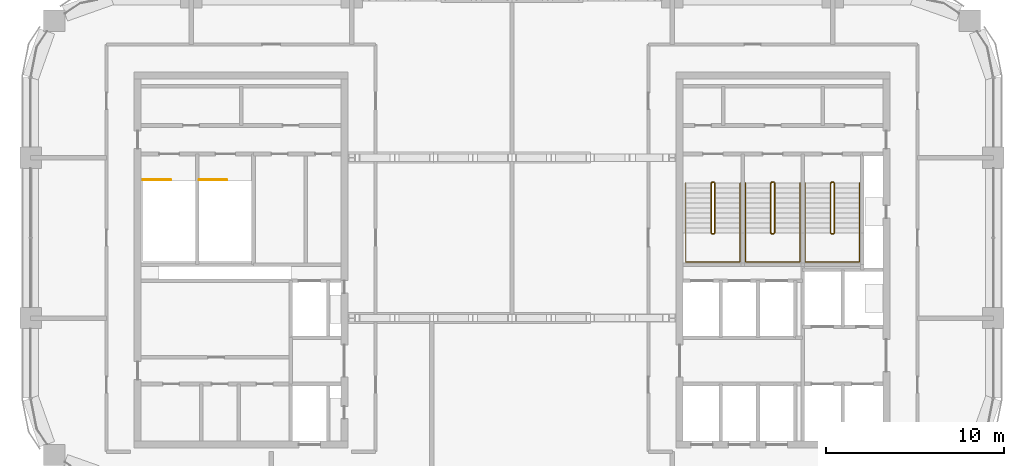
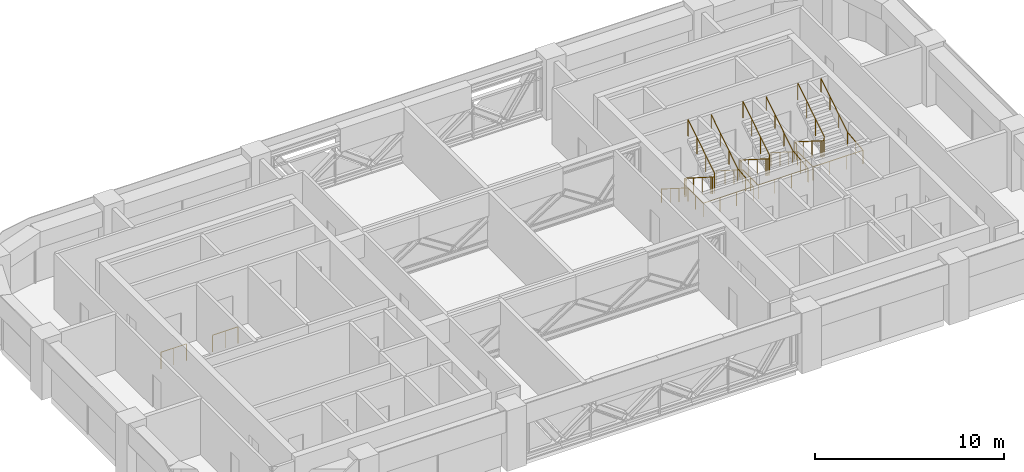
# One storey, part 12 of 12: 8 railings.
"""IFC4 building model written with IfcOpenShell, lengths in metres."""

import ifcopenshell
import ifcopenshell.guid

model = None  # the IFC model being written
_history = None  # IfcOwnerHistory: only IFC2X3 demands one
_inside = {}  # id of a spatial element -> (the spatial element, [elements in it])
_under = {}  # id of a project, library or spatial element -> (it, [spatial elements below it])
_declared = {}  # id of a project -> (the project, [libraries it declares])
_typed = {}  # id of a type object -> (the type object, [elements of that type])
_made_of = {}  # id of a material, layer set ... -> (it, [elements and type objects made of it])


def new_model(schema):
    """Start an empty IFC model of exactly this schema.

    Asked for "IFC4X3", IfcOpenShell would pick the latest addendum, in which some entities
    have other attributes; the version numbers below select the first issue.
    IFC2X3 requires an IfcOwnerHistory on every rooted entity: one is made here for all.
    """
    global model, _history
    if schema == "IFC4X3":
        model = ifcopenshell.file(schema_version=(4, 3, 0, 0))
    else:
        model = ifcopenshell.file(schema=schema)
    _inside.clear()
    _under.clear()
    _declared.clear()
    _typed.clear()
    _made_of.clear()
    _history = None
    if model.schema == "IFC2X3":
        org = make("IfcOrganization", Name="unknown")
        user = make(
            "IfcPersonAndOrganization",
            ThePerson=make("IfcPerson", FamilyName="unknown"),
            TheOrganization=org,
        )
        app = make(
            "IfcApplication",
            ApplicationDeveloper=org,
            Version="unknown",
            ApplicationFullName="unknown",
            ApplicationIdentifier="unknown",
        )
        _history = make(
            "IfcOwnerHistory",
            OwningUser=user,
            OwningApplication=app,
            ChangeAction="ADDED",
            CreationDate=0,
        )
    return model


def make(cls, **values):
    """One entity of the class cls with the attributes given. An attribute that is None is left unset."""
    return model.create_entity(
        cls, **{name: value for name, value in values.items() if value is not None}
    )


def rooted(cls, **values):
    """An entity with a GlobalId (a new one), such as an element, a storey or a relation."""
    return make(cls, GlobalId=ifcopenshell.guid.new(), OwnerHistory=_history, **values)


def si_unit(unit_type, name, prefix=None):
    """IfcSIUnit, for example si_unit("LENGTHUNIT", "METRE", prefix="MILLI")."""
    return make("IfcSIUnit", UnitType=unit_type, Prefix=prefix, Name=name)


def assignment(units):
    """IfcUnitAssignment: the units of a project."""
    return None if units is None else make("IfcUnitAssignment", Units=units)


def point(xyz):
    """IfcCartesianPoint."""
    return None if xyz is None else make("IfcCartesianPoint", Coordinates=xyz)


def direction(xyz):
    """IfcDirection."""
    return None if xyz is None else make("IfcDirection", DirectionRatios=xyz)


def frame(location, z_axis=None, x_axis=None):
    """IfcAxis2Placement3D, a coordinate frame: its origin and axes. An axis left out is left unset."""
    return make(
        "IfcAxis2Placement3D",
        Location=point(location),
        Axis=direction(z_axis),
        RefDirection=direction(x_axis),
    )


def frame_2d(location, x_axis=None):
    """IfcAxis2Placement2D, a coordinate frame in the plane: its origin and x axis."""
    return make(
        "IfcAxis2Placement2D", Location=point(location), RefDirection=direction(x_axis)
    )


def origin():
    """The frame at (0, 0, 0) with its axes left unset."""
    return frame((0.0, 0.0, 0.0))


def origin_2d():
    """The frame at (0, 0) in the plane with its x axis left unset."""
    return frame_2d((0.0, 0.0))


def place(relative_to, where):
    """IfcLocalPlacement: puts the frame where relative to a parent placement (None: the world)."""
    return make(
        "IfcLocalPlacement", PlacementRelTo=relative_to, RelativePlacement=where
    )


def context(
    kind, dimensions, precision=None, world=None, true_north=None, identifier=None
):
    """IfcGeometricRepresentationContext, for example the 3D "Model" context."""
    return make(
        "IfcGeometricRepresentationContext",
        ContextIdentifier=identifier,
        ContextType=kind,
        CoordinateSpaceDimension=dimensions,
        Precision=precision,
        WorldCoordinateSystem=world,
        TrueNorth=true_north,
    )


def subcontext(parent, identifier, kind, view, scale=None):
    """IfcGeometricRepresentationSubContext, for example "Body" below "Model"."""
    return make(
        "IfcGeometricRepresentationSubContext",
        ContextIdentifier=identifier,
        ContextType=kind,
        ParentContext=parent,
        TargetScale=scale,
        TargetView=view,
    )


def project(units=None, contexts=None):
    """IfcProject with its units and contexts."""
    return rooted(
        "IfcProject",
        Name="project",
        RepresentationContexts=contexts,
        UnitsInContext=assignment(units),
    )


def spatial(cls, under=None, at=None, **own):
    """A site, building, storey or space (cls), placed at a placement, below another one or the project."""
    s = rooted(cls, ObjectPlacement=at, **own)
    if under is not None:
        _under.setdefault(under.id(), (under, []))[1].append(s)
    return s


def profile(cls, at=None, kind="AREA", **sizes):
    """A parametric profile (cls). Its sizes go by their IFC names, for example OverallWidth=200.0."""
    return make(cls, ProfileType=kind, Position=at, **sizes)


def circle(**sizes):
    """IfcCircleProfileDef."""
    return profile("IfcCircleProfileDef", **sizes)


def extrude(swept, where, along, depth):
    """IfcExtrudedAreaSolid: the profile swept, set in the frame where, extruded along a direction by depth."""
    return make(
        "IfcExtrudedAreaSolid",
        SweptArea=swept,
        Position=where,
        ExtrudedDirection=direction(along),
        Depth=depth,
    )


def shape(context_of_items, identifier, shape_type, items):
    """IfcShapeRepresentation: the items that make up one representation, for example the "Body"."""
    return make(
        "IfcShapeRepresentation",
        ContextOfItems=context_of_items,
        RepresentationIdentifier=identifier,
        RepresentationType=shape_type,
        Items=items,
    )


def material(Name=None, Category=None):
    """IfcMaterial."""
    return make("IfcMaterial", Name=Name, Category=Category)


def made_of(thing, what):
    """Note that an element or type object is made of a material, layer set ...; save() writes the relation."""
    if what is not None:
        _made_of.setdefault(what.id(), (what, []))[1].append(thing)
    return thing


def type_object(cls, material=None, **own):
    """A type object (cls), such as IfcWallType, which elements share."""
    return made_of(rooted(cls, **own), material)


def element(
    cls,
    number,
    at=None,
    inside=None,
    cuts=None,
    type_object=None,
    material=None,
    context=None,
    identifier="Body",
    shape_type=None,
    held_by="IfcProductDefinitionShape",
    body=None,
    shapes=None,
    **own,
):
    """One element of the class cls, such as IfcWall. Its Tag is "e" and its number.

    at: its placement. inside: the storey or other place that contains it. cuts: it is an
    opening in that element (IfcRelVoidsElement). A single representation is given by context,
    identifier, shape_type and body (its items); several are given by shapes. held_by: the class
    of the entity that holds the representations. save() writes the other relations.
    """
    e = rooted(cls, Tag="e%d" % number, ObjectPlacement=at, **own)
    if body is not None:
        shapes = [shape(context, identifier, shape_type, body)]
    if shapes is not None:
        e.Representation = make(held_by, Representations=shapes)
    if inside is not None:
        _inside.setdefault(inside.id(), (inside, []))[1].append(e)
    if cuts is not None:
        rooted(
            "IfcRelVoidsElement", RelatingBuildingElement=cuts, RelatedOpeningElement=e
        )
    if type_object is not None:
        _typed.setdefault(type_object.id(), (type_object, []))[1].append(e)
    return made_of(e, material)


def aggregate(whole, parts):
    """IfcRelAggregates: a whole, such as a stair, and the parts it consists of."""
    return rooted("IfcRelAggregates", RelatingObject=whole, RelatedObjects=parts)


def save(model, path):
    """Write the relations noted so far, then the file.

    IfcRelAggregates (storeys below a building ...), IfcRelContainedInSpatialStructure (elements
    in a storey), IfcRelDefinesByType, IfcRelAssociatesMaterial and IfcRelDeclares: one each for
    every whole, place, type object, material and project.
    """
    for whole, parts in _under.values():
        aggregate(whole, parts)
    for where, things in _inside.values():
        rooted(
            "IfcRelContainedInSpatialStructure",
            RelatedElements=things,
            RelatingStructure=where,
        )
    for kind, things in _typed.values():
        rooted("IfcRelDefinesByType", RelatedObjects=things, RelatingType=kind)
    for what, things in _made_of.values():
        rooted("IfcRelAssociatesMaterial", RelatedObjects=things, RelatingMaterial=what)
    for by, libraries in _declared.values():
        rooted("IfcRelDeclares", RelatingContext=by, RelatedDefinitions=libraries)
    model.write(path)


model = new_model("IFC4")

# Units and contexts
model_context = context("Model", 3, precision=1e-05, world=origin(), true_north=direction((0.0, 1.0)))
body_context = subcontext(model_context, "Body", "Model", "MODEL_VIEW")
ifc_project = project(units=[si_unit("LENGTHUNIT", "METRE"), si_unit("AREAUNIT", "SQUARE_METRE"), si_unit("VOLUMEUNIT", "CUBIC_METRE"), si_unit("PLANEANGLEUNIT", "RADIAN"), si_unit("MASSUNIT", "GRAM", prefix="KILO")], contexts=[model_context])

# Site, building, storey
site_placement = place(None, origin())
site = spatial("IfcSite", under=ifc_project, at=site_placement, CompositionType="ELEMENT")
building_placement = place(site_placement, origin())
building = spatial("IfcBuilding", under=site, at=building_placement, Name="Tessera Arch", CompositionType="ELEMENT")
storey_placement = place(building_placement, frame((0.0, 0.0, 230.60009765625)))
storey = spatial("IfcBuildingStorey", under=building, at=storey_placement, Name="L55", CompositionType="ELEMENT", Elevation=230.60009765625)

# Railings
ifc_material_1 = material(Name="Painted steel balustrade", Category="steel")
railing_type_1 = type_object("IfcRailingType", Name="Stair guard 1100", PredefinedType="GUARDRAIL", material=ifc_material_1)
railing_1_placement = place(storey_placement, frame((38.219970703125, 43.6298828125, 0.0)))
element("IfcRailing", 1, at=railing_1_placement, inside=storey, type_object=railing_type_1, Name="L55 S1a stair guard 1", PredefinedType="GUARDRAIL", context=body_context, shape_type="SweptSolid", body=[
    extrude(circle(Radius=0.02392578125, at=origin_2d()), frame((-0.00390625, 0.0, 1.076171875), z_axis=(1.0, 0.0, 0.0), x_axis=(0.0, 1.0, 0.0)), (0.0, 0.0, 1.0), 0.1181640625),
    extrude(circle(Radius=0.02392578125, at=origin_2d()), frame((0.11279296875, 0.000732421875, 1.0732421875), z_axis=(-0.656319048605, -0.204099216335, 0.726353093426), x_axis=(0.296948579431, -0.954893471113, 0.0)), (0.0, 0.0, 1.0), 0.251953125),
    extrude(circle(Radius=0.02392578125, at=origin_2d()), frame((-0.050048828125, -0.04638671875, 1.251220703125), z_axis=(0.0, -0.844908973607, 0.534910110503), x_axis=(1.0, 0.0, 0.0)), (0.0, 0.0, 1.0), 3.322021484375),
    extrude(circle(Radius=0.02392578125, at=origin_2d()), frame((-0.052978515625, -2.846923828125, 3.02587890625), z_axis=(0.707106781187, -0.707106781187, 0.0), x_axis=(0.707106781187, 0.707106781187, 0.0)), (0.0, 0.0, 1.0), 0.078857421875),
    extrude(circle(Radius=0.02392578125, at=origin_2d()), frame((-0.00390625, -2.89990234375, 3.02587890625), z_axis=(1.0, 0.0, 0.0), x_axis=(0.0, 1.0, 0.0)), (0.0, 0.0, 1.0), 0.1181640625),
    extrude(circle(Radius=0.02392578125, at=origin_2d()), frame((0.109130859375, -2.90087890625, 3.022216796875), z_axis=(0.261041864531, 0.262321481514, 0.929001929653), x_axis=(-0.708833529934, 0.705375805398, 0.0)), (0.0, 0.0, 1.0), 0.19873046875),
    extrude(circle(Radius=0.02392578125, at=origin_2d()), frame((0.159912109375, -2.853271484375, 3.201171875), z_axis=(0.0, 0.844908973607, 0.534910110503), x_axis=(-1.0, 0.0, 0.0)), (0.0, 0.0, 1.0), 3.322021484375),
    extrude(circle(Radius=0.02099609375, at=origin_2d()), origin(), (0.0, 0.0, 1.0), 1.06396484375),
    extrude(circle(Radius=0.02099609375, at=origin_2d()), frame((0.110107421875, 0.0, 0.0)), (0.0, 0.0, 1.0), 1.06396484375),
    extrude(circle(Radius=0.02099609375, at=origin_2d()), frame((-0.050048828125, -0.0498046875, 0.17724609375)), (0.0, 0.0, 1.0), 1.06396484375),
    extrude(circle(Radius=0.02099609375, at=origin_2d()), frame((-0.050048828125, -0.983154296875, 0.76806640625)), (0.0, 0.0, 1.0), 1.06396484375),
    extrude(circle(Radius=0.02099609375, at=origin_2d()), frame((-0.050048828125, -1.91650390625, 1.359130859375)), (0.0, 0.0, 1.0), 1.06396484375),
    extrude(circle(Radius=0.02099609375, at=origin_2d()), frame((-0.050048828125, -2.849853515625, 1.949951171875)), (0.0, 0.0, 1.0), 1.06396484375),
    extrude(circle(Radius=0.02099609375, at=origin_2d()), frame((0.0, -2.89990234375, 1.949951171875)), (0.0, 0.0, 1.0), 1.06396484375),
    extrude(circle(Radius=0.02099609375, at=origin_2d()), frame((0.110107421875, -2.89990234375, 1.949951171875)), (0.0, 0.0, 1.0), 1.06396484375),
    extrude(circle(Radius=0.02099609375, at=origin_2d()), frame((0.159912109375, -2.849853515625, 2.127197265625)), (0.0, 0.0, 1.0), 1.06396484375),
    extrude(circle(Radius=0.02099609375, at=origin_2d()), frame((0.159912109375, -1.91650390625, 2.718017578125)), (0.0, 0.0, 1.0), 1.06396484375),
    extrude(circle(Radius=0.02099609375, at=origin_2d()), frame((0.159912109375, -0.983154296875, 3.30908203125)), (0.0, 0.0, 1.0), 1.06396484375),
    extrude(circle(Radius=0.02099609375, at=origin_2d()), frame((0.159912109375, -0.0498046875, 3.89990234375)), (0.0, 0.0, 1.0), 1.06396484375),
])
railing_2_placement = place(storey_placement, frame((41.570068359375, 43.6298828125, 0.0)))
element("IfcRailing", 2, at=railing_2_placement, inside=storey, type_object=railing_type_1, Name="L55 S1b stair guard 1", PredefinedType="GUARDRAIL", context=body_context, shape_type="SweptSolid", body=[
    extrude(circle(Radius=0.02392578125, at=origin_2d()), frame((-0.00390625, 0.0, 1.076171875), z_axis=(1.0, 0.0, 0.0), x_axis=(0.0, 1.0, 0.0)), (0.0, 0.0, 1.0), 0.117919921875),
    extrude(circle(Radius=0.02392578125, at=origin_2d()), frame((0.112548828125, 0.000732421875, 1.0732421875), z_axis=(-0.65574896516, -0.204233265485, 0.726830150696), x_axis=(0.297361876254, -0.954764847777, 0.0)), (0.0, 0.0, 1.0), 0.251953125),
    extrude(circle(Radius=0.02392578125, at=origin_2d()), frame((-0.050048828125, -0.04638671875, 1.251220703125), z_axis=(0.0, -0.844908973607, 0.534910110503), x_axis=(1.0, 0.0, 0.0)), (0.0, 0.0, 1.0), 3.322021484375),
    extrude(circle(Radius=0.02392578125, at=origin_2d()), frame((-0.052978515625, -2.846923828125, 3.02587890625), z_axis=(0.707106781187, -0.707106781187, 0.0), x_axis=(0.707106781187, 0.707106781187, 0.0)), (0.0, 0.0, 1.0), 0.078857421875),
    extrude(circle(Radius=0.02392578125, at=origin_2d()), frame((-0.00390625, -2.89990234375, 3.02587890625), z_axis=(1.0, 0.0, 0.0), x_axis=(0.0, 1.0, 0.0)), (0.0, 0.0, 1.0), 0.117919921875),
    extrude(circle(Radius=0.02392578125, at=origin_2d()), frame((0.10888671875, -2.90087890625, 3.022216796875), z_axis=(0.262233686654, 0.262233686654, 0.928691007369), x_axis=(-0.707106781187, 0.707106781187, 0.0)), (0.0, 0.0, 1.0), 0.198974609375),
    extrude(circle(Radius=0.02392578125, at=origin_2d()), frame((0.159912109375, -2.853271484375, 3.201171875), z_axis=(0.0, 0.844908973607, 0.534910110503), x_axis=(-1.0, 0.0, 0.0)), (0.0, 0.0, 1.0), 3.322021484375),
    extrude(circle(Radius=0.02099609375, at=origin_2d()), origin(), (0.0, 0.0, 1.0), 1.06396484375),
    extrude(circle(Radius=0.02099609375, at=origin_2d()), frame((0.10986328125, 0.0, 0.0)), (0.0, 0.0, 1.0), 1.06396484375),
    extrude(circle(Radius=0.02099609375, at=origin_2d()), frame((-0.050048828125, -0.0498046875, 0.17724609375)), (0.0, 0.0, 1.0), 1.06396484375),
    extrude(circle(Radius=0.02099609375, at=origin_2d()), frame((-0.050048828125, -0.983154296875, 0.76806640625)), (0.0, 0.0, 1.0), 1.06396484375),
    extrude(circle(Radius=0.02099609375, at=origin_2d()), frame((-0.050048828125, -1.91650390625, 1.359130859375)), (0.0, 0.0, 1.0), 1.06396484375),
    extrude(circle(Radius=0.02099609375, at=origin_2d()), frame((-0.050048828125, -2.849853515625, 1.949951171875)), (0.0, 0.0, 1.0), 1.06396484375),
    extrude(circle(Radius=0.02099609375, at=origin_2d()), frame((0.0, -2.89990234375, 1.949951171875)), (0.0, 0.0, 1.0), 1.06396484375),
    extrude(circle(Radius=0.02099609375, at=origin_2d()), frame((0.10986328125, -2.89990234375, 1.949951171875)), (0.0, 0.0, 1.0), 1.06396484375),
    extrude(circle(Radius=0.02099609375, at=origin_2d()), frame((0.159912109375, -2.849853515625, 2.127197265625)), (0.0, 0.0, 1.0), 1.06396484375),
    extrude(circle(Radius=0.02099609375, at=origin_2d()), frame((0.159912109375, -1.91650390625, 2.718017578125)), (0.0, 0.0, 1.0), 1.06396484375),
    extrude(circle(Radius=0.02099609375, at=origin_2d()), frame((0.159912109375, -0.983154296875, 3.30908203125)), (0.0, 0.0, 1.0), 1.06396484375),
    extrude(circle(Radius=0.02099609375, at=origin_2d()), frame((0.159912109375, -0.0498046875, 3.89990234375)), (0.0, 0.0, 1.0), 1.06396484375),
])
railing_3_placement = place(storey_placement, frame((44.919921875, 43.6298828125, 0.0)))
element("IfcRailing", 3, at=railing_3_placement, inside=storey, type_object=railing_type_1, Name="L55 S1c stair guard 1", PredefinedType="GUARDRAIL", context=body_context, shape_type="SweptSolid", body=[
    extrude(circle(Radius=0.02392578125, at=origin_2d()), frame((-0.00390625, 0.0, 1.076171875), z_axis=(1.0, 0.0, 0.0), x_axis=(0.0, 1.0, 0.0)), (0.0, 0.0, 1.0), 0.1181640625),
    extrude(circle(Radius=0.02392578125, at=origin_2d()), frame((0.11279296875, 0.000732421875, 1.0732421875), z_axis=(-0.65574896516, -0.204233265485, 0.726830150696), x_axis=(0.297361876254, -0.954764847777, 0.0)), (0.0, 0.0, 1.0), 0.251953125),
    extrude(circle(Radius=0.02392578125, at=origin_2d()), frame((-0.0498046875, -0.04638671875, 1.251220703125), z_axis=(0.0, -0.844908973607, 0.534910110503), x_axis=(1.0, 0.0, 0.0)), (0.0, 0.0, 1.0), 3.322021484375),
    extrude(circle(Radius=0.02392578125, at=origin_2d()), frame((-0.052734375, -2.846923828125, 3.02587890625), z_axis=(0.705375805398, -0.708833529934, 0.0), x_axis=(0.708833529934, 0.705375805398, 0.0)), (0.0, 0.0, 1.0), 0.07861328125),
    extrude(circle(Radius=0.02392578125, at=origin_2d()), frame((-0.00390625, -2.89990234375, 3.02587890625), z_axis=(1.0, 0.0, 0.0), x_axis=(0.0, 1.0, 0.0)), (0.0, 0.0, 1.0), 0.1181640625),
    extrude(circle(Radius=0.02392578125, at=origin_2d()), frame((0.109130859375, -2.90087890625, 3.022216796875), z_axis=(0.262233686654, 0.262233686654, 0.928691007369), x_axis=(-0.707106781187, 0.707106781187, 0.0)), (0.0, 0.0, 1.0), 0.198974609375),
    extrude(circle(Radius=0.02392578125, at=origin_2d()), frame((0.16015625, -2.853271484375, 3.201171875), z_axis=(0.0, 0.844908973607, 0.534910110503), x_axis=(-1.0, 0.0, 0.0)), (0.0, 0.0, 1.0), 3.322021484375),
    extrude(circle(Radius=0.02099609375, at=origin_2d()), origin(), (0.0, 0.0, 1.0), 1.06396484375),
    extrude(circle(Radius=0.02099609375, at=origin_2d()), frame((0.110107421875, 0.0, 0.0)), (0.0, 0.0, 1.0), 1.06396484375),
    extrude(circle(Radius=0.02099609375, at=origin_2d()), frame((-0.0498046875, -0.0498046875, 0.17724609375)), (0.0, 0.0, 1.0), 1.06396484375),
    extrude(circle(Radius=0.02099609375, at=origin_2d()), frame((-0.0498046875, -0.983154296875, 0.76806640625)), (0.0, 0.0, 1.0), 1.06396484375),
    extrude(circle(Radius=0.02099609375, at=origin_2d()), frame((-0.0498046875, -1.91650390625, 1.359130859375)), (0.0, 0.0, 1.0), 1.06396484375),
    extrude(circle(Radius=0.02099609375, at=origin_2d()), frame((-0.0498046875, -2.849853515625, 1.949951171875)), (0.0, 0.0, 1.0), 1.06396484375),
    extrude(circle(Radius=0.02099609375, at=origin_2d()), frame((0.0, -2.89990234375, 1.949951171875)), (0.0, 0.0, 1.0), 1.06396484375),
    extrude(circle(Radius=0.02099609375, at=origin_2d()), frame((0.110107421875, -2.89990234375, 1.949951171875)), (0.0, 0.0, 1.0), 1.06396484375),
    extrude(circle(Radius=0.02099609375, at=origin_2d()), frame((0.16015625, -2.849853515625, 2.127197265625)), (0.0, 0.0, 1.0), 1.06396484375),
    extrude(circle(Radius=0.02099609375, at=origin_2d()), frame((0.16015625, -1.91650390625, 2.718017578125)), (0.0, 0.0, 1.0), 1.06396484375),
    extrude(circle(Radius=0.02099609375, at=origin_2d()), frame((0.16015625, -0.983154296875, 3.30908203125)), (0.0, 0.0, 1.0), 1.06396484375),
    extrude(circle(Radius=0.02099609375, at=origin_2d()), frame((0.16015625, -0.0498046875, 3.89990234375)), (0.0, 0.0, 1.0), 1.06396484375),
])
for number, where, name in (
    (4, (6.300048828125, 43.75, 0.0), "L55 S2a top well guard 1"),
    (5, (9.449951171875, 43.75, 0.0), "L55 S2b top well guard 1"),
):
    element("IfcRailing", number, at=place(storey_placement, frame(where)), inside=storey, type_object=railing_type_1, Name=name, PredefinedType="GUARDRAIL", context=body_context, shape_type="SweptSolid", body=[
        extrude(circle(Radius=0.02392578125, at=origin_2d()), frame((-0.00390625, 0.0, 1.076171875), z_axis=(1.0, 0.0, 0.0), x_axis=(0.0, 1.0, 0.0)), (0.0, 0.0, 1.0), 1.55810546875),
        extrude(circle(Radius=0.02099609375, at=origin_2d()), origin(), (0.0, 0.0, 1.0), 1.06396484375),
        extrude(circle(Radius=0.02099609375, at=origin_2d()), frame((0.77490234375, 0.0, 0.0)), (0.0, 0.0, 1.0), 1.06396484375),
        extrude(circle(Radius=0.02099609375, at=origin_2d()), frame((1.550048828125, 0.0, 0.0)), (0.0, 0.0, 1.0), 1.06396484375),
    ])
ifc_material_2 = material(Name="Painted steel handrail", Category="steel")
railing_type_2 = type_object("IfcRailingType", Name="Stair handrail 900", PredefinedType="HANDRAIL", material=ifc_material_2)
railing_4_placement = place(storey_placement, frame((36.75, 43.580078125, 0.17724609375)))
element("IfcRailing", 6, at=railing_4_placement, inside=storey, type_object=railing_type_2, Name="L55 S1a stair handrail", PredefinedType="HANDRAIL", context=body_context, shape_type="SweptSolid", body=[
    extrude(circle(Radius=0.02392578125, at=origin_2d()), frame((0.0, 0.00341796875, 0.873779296875), z_axis=(0.0, -0.844908973607, 0.534910110503), x_axis=(1.0, 0.0, 0.0)), (0.0, 0.0, 1.0), 3.322021484375),
    extrude(circle(Radius=0.02392578125, at=origin_2d()), frame((0.0, -2.796142578125, 2.6484375), z_axis=(0.0, -1.0, 0.0), x_axis=(1.0, 0.0, 0.0)), (0.0, 0.0, 1.0), 1.63818359375),
    extrude(circle(Radius=0.02392578125, at=origin_2d()), frame((-0.00390625, -4.43017578125, 2.6484375), z_axis=(1.0, 0.0, 0.0), x_axis=(0.0, 1.0, 0.0)), (0.0, 0.0, 1.0), 3.05810546875),
    extrude(circle(Radius=0.02392578125, at=origin_2d()), frame((3.050048828125, -4.43408203125, 2.648193359375), z_axis=(0.0, 0.994140637614, 0.108094369164), x_axis=(-1.0, 0.0, 0.0)), (0.0, 0.0, 1.0), 1.647705078125),
    extrude(circle(Radius=0.02392578125, at=origin_2d()), frame((3.050048828125, -2.803466796875, 2.82373046875), z_axis=(0.0, 0.844908973607, 0.534910110503), x_axis=(-1.0, 0.0, 0.0)), (0.0, 0.0, 1.0), 3.322021484375),
    extrude(circle(Radius=0.02099609375, at=origin_2d()), origin(), (0.0, 0.0, 1.0), 0.86376953125),
    extrude(circle(Radius=0.02099609375, at=origin_2d()), frame((0.0, -0.933349609375, 0.5908203125)), (0.0, 0.0, 1.0), 0.86376953125),
    extrude(circle(Radius=0.02099609375, at=origin_2d()), frame((0.0, -1.86669921875, 1.181884765625)), (0.0, 0.0, 1.0), 0.86376953125),
    extrude(circle(Radius=0.02099609375, at=origin_2d()), frame((0.0, -2.800048828125, 1.772705078125)), (0.0, 0.0, 1.0), 0.86376953125),
    extrude(circle(Radius=0.02099609375, at=origin_2d()), frame((0.0, -3.615234375, 1.772705078125)), (0.0, 0.0, 1.0), 0.86376953125),
    extrude(circle(Radius=0.02099609375, at=origin_2d()), frame((0.0, -4.43017578125, 1.772705078125)), (0.0, 0.0, 1.0), 0.86376953125),
    extrude(circle(Radius=0.02099609375, at=origin_2d()), frame((1.0166015625, -4.43017578125, 1.772705078125)), (0.0, 0.0, 1.0), 0.86376953125),
    extrude(circle(Radius=0.02099609375, at=origin_2d()), frame((2.033447265625, -4.43017578125, 1.772705078125)), (0.0, 0.0, 1.0), 0.86376953125),
    extrude(circle(Radius=0.02099609375, at=origin_2d()), frame((3.050048828125, -4.43017578125, 1.772705078125)), (0.0, 0.0, 1.0), 0.86376953125),
    extrude(circle(Radius=0.02099609375, at=origin_2d()), frame((3.050048828125, -3.615234375, 1.861328125)), (0.0, 0.0, 1.0), 0.86376953125),
    extrude(circle(Radius=0.02099609375, at=origin_2d()), frame((3.050048828125, -2.800048828125, 1.949951171875)), (0.0, 0.0, 1.0), 0.86376953125),
    extrude(circle(Radius=0.02099609375, at=origin_2d()), frame((3.050048828125, -1.86669921875, 2.540771484375)), (0.0, 0.0, 1.0), 0.86376953125),
    extrude(circle(Radius=0.02099609375, at=origin_2d()), frame((3.050048828125, -0.933349609375, 3.1318359375)), (0.0, 0.0, 1.0), 0.86376953125),
    extrude(circle(Radius=0.02099609375, at=origin_2d()), frame((3.050048828125, 0.0, 3.72265625)), (0.0, 0.0, 1.0), 0.86376953125),
])
railing_5_placement = place(storey_placement, frame((40.10009765625, 43.580078125, 0.17724609375)))
element("IfcRailing", 7, at=railing_5_placement, inside=storey, type_object=railing_type_2, Name="L55 S1b stair handrail", PredefinedType="HANDRAIL", context=body_context, shape_type="SweptSolid", body=[
    extrude(circle(Radius=0.02392578125, at=origin_2d()), frame((0.0, 0.00341796875, 0.873779296875), z_axis=(0.0, -0.844908973607, 0.534910110503), x_axis=(1.0, 0.0, 0.0)), (0.0, 0.0, 1.0), 3.322021484375),
    extrude(circle(Radius=0.02392578125, at=origin_2d()), frame((0.0, -2.796142578125, 2.6484375), z_axis=(0.0, -1.0, 0.0), x_axis=(1.0, 0.0, 0.0)), (0.0, 0.0, 1.0), 1.63818359375),
    extrude(circle(Radius=0.02392578125, at=origin_2d()), frame((-0.00390625, -4.43017578125, 2.6484375), z_axis=(1.0, 0.0, 0.0), x_axis=(0.0, 1.0, 0.0)), (0.0, 0.0, 1.0), 3.057861328125),
    extrude(circle(Radius=0.02392578125, at=origin_2d()), frame((3.0498046875, -4.43408203125, 2.648193359375), z_axis=(0.0, 0.994140637614, 0.108094369164), x_axis=(-1.0, 0.0, 0.0)), (0.0, 0.0, 1.0), 1.647705078125),
    extrude(circle(Radius=0.02392578125, at=origin_2d()), frame((3.0498046875, -2.803466796875, 2.82373046875), z_axis=(0.0, 0.844908973607, 0.534910110503), x_axis=(-1.0, 0.0, 0.0)), (0.0, 0.0, 1.0), 3.322021484375),
    extrude(circle(Radius=0.02099609375, at=origin_2d()), origin(), (0.0, 0.0, 1.0), 0.86376953125),
    extrude(circle(Radius=0.02099609375, at=origin_2d()), frame((0.0, -0.933349609375, 0.5908203125)), (0.0, 0.0, 1.0), 0.86376953125),
    extrude(circle(Radius=0.02099609375, at=origin_2d()), frame((0.0, -1.86669921875, 1.181884765625)), (0.0, 0.0, 1.0), 0.86376953125),
    extrude(circle(Radius=0.02099609375, at=origin_2d()), frame((0.0, -2.800048828125, 1.772705078125)), (0.0, 0.0, 1.0), 0.86376953125),
    extrude(circle(Radius=0.02099609375, at=origin_2d()), frame((0.0, -3.615234375, 1.772705078125)), (0.0, 0.0, 1.0), 0.86376953125),
    extrude(circle(Radius=0.02099609375, at=origin_2d()), frame((0.0, -4.43017578125, 1.772705078125)), (0.0, 0.0, 1.0), 0.86376953125),
    extrude(circle(Radius=0.02099609375, at=origin_2d()), frame((1.0166015625, -4.43017578125, 1.772705078125)), (0.0, 0.0, 1.0), 0.86376953125),
    extrude(circle(Radius=0.02099609375, at=origin_2d()), frame((2.033203125, -4.43017578125, 1.772705078125)), (0.0, 0.0, 1.0), 0.86376953125),
    extrude(circle(Radius=0.02099609375, at=origin_2d()), frame((3.0498046875, -4.43017578125, 1.772705078125)), (0.0, 0.0, 1.0), 0.86376953125),
    extrude(circle(Radius=0.02099609375, at=origin_2d()), frame((3.0498046875, -3.615234375, 1.861328125)), (0.0, 0.0, 1.0), 0.86376953125),
    extrude(circle(Radius=0.02099609375, at=origin_2d()), frame((3.0498046875, -2.800048828125, 1.949951171875)), (0.0, 0.0, 1.0), 0.86376953125),
    extrude(circle(Radius=0.02099609375, at=origin_2d()), frame((3.0498046875, -1.86669921875, 2.540771484375)), (0.0, 0.0, 1.0), 0.86376953125),
    extrude(circle(Radius=0.02099609375, at=origin_2d()), frame((3.0498046875, -0.933349609375, 3.1318359375)), (0.0, 0.0, 1.0), 0.86376953125),
    extrude(circle(Radius=0.02099609375, at=origin_2d()), frame((3.0498046875, 0.0, 3.72265625)), (0.0, 0.0, 1.0), 0.86376953125),
])
railing_6_placement = place(storey_placement, frame((43.449951171875, 43.580078125, 0.17724609375)))
element("IfcRailing", 8, at=railing_6_placement, inside=storey, type_object=railing_type_2, Name="L55 S1c stair handrail", PredefinedType="HANDRAIL", context=body_context, shape_type="SweptSolid", body=[
    extrude(circle(Radius=0.02392578125, at=origin_2d()), frame((0.0, 0.00341796875, 0.873779296875), z_axis=(0.0, -0.844908973607, 0.534910110503), x_axis=(1.0, 0.0, 0.0)), (0.0, 0.0, 1.0), 3.322021484375),
    extrude(circle(Radius=0.02392578125, at=origin_2d()), frame((0.0, -2.796142578125, 2.6484375), z_axis=(0.0, -1.0, 0.0), x_axis=(1.0, 0.0, 0.0)), (0.0, 0.0, 1.0), 1.63818359375),
    extrude(circle(Radius=0.02392578125, at=origin_2d()), frame((-0.00390625, -4.43017578125, 2.6484375), z_axis=(1.0, 0.0, 0.0), x_axis=(0.0, 1.0, 0.0)), (0.0, 0.0, 1.0), 3.05810546875),
    extrude(circle(Radius=0.02392578125, at=origin_2d()), frame((3.050048828125, -4.43408203125, 2.648193359375), z_axis=(0.0, 0.994140637614, 0.108094369164), x_axis=(-1.0, 0.0, 0.0)), (0.0, 0.0, 1.0), 1.647705078125),
    extrude(circle(Radius=0.02392578125, at=origin_2d()), frame((3.050048828125, -2.803466796875, 2.82373046875), z_axis=(0.0, 0.844908973607, 0.534910110503), x_axis=(-1.0, 0.0, 0.0)), (0.0, 0.0, 1.0), 3.322021484375),
    extrude(circle(Radius=0.02099609375, at=origin_2d()), origin(), (0.0, 0.0, 1.0), 0.86376953125),
    extrude(circle(Radius=0.02099609375, at=origin_2d()), frame((0.0, -0.933349609375, 0.5908203125)), (0.0, 0.0, 1.0), 0.86376953125),
    extrude(circle(Radius=0.02099609375, at=origin_2d()), frame((0.0, -1.86669921875, 1.181884765625)), (0.0, 0.0, 1.0), 0.86376953125),
    extrude(circle(Radius=0.02099609375, at=origin_2d()), frame((0.0, -2.800048828125, 1.772705078125)), (0.0, 0.0, 1.0), 0.86376953125),
    extrude(circle(Radius=0.02099609375, at=origin_2d()), frame((0.0, -3.615234375, 1.772705078125)), (0.0, 0.0, 1.0), 0.86376953125),
    extrude(circle(Radius=0.02099609375, at=origin_2d()), frame((0.0, -4.43017578125, 1.772705078125)), (0.0, 0.0, 1.0), 0.86376953125),
    extrude(circle(Radius=0.02099609375, at=origin_2d()), frame((1.0166015625, -4.43017578125, 1.772705078125)), (0.0, 0.0, 1.0), 0.86376953125),
    extrude(circle(Radius=0.02099609375, at=origin_2d()), frame((2.033447265625, -4.43017578125, 1.772705078125)), (0.0, 0.0, 1.0), 0.86376953125),
    extrude(circle(Radius=0.02099609375, at=origin_2d()), frame((3.050048828125, -4.43017578125, 1.772705078125)), (0.0, 0.0, 1.0), 0.86376953125),
    extrude(circle(Radius=0.02099609375, at=origin_2d()), frame((3.050048828125, -3.615234375, 1.861328125)), (0.0, 0.0, 1.0), 0.86376953125),
    extrude(circle(Radius=0.02099609375, at=origin_2d()), frame((3.050048828125, -2.800048828125, 1.949951171875)), (0.0, 0.0, 1.0), 0.86376953125),
    extrude(circle(Radius=0.02099609375, at=origin_2d()), frame((3.050048828125, -1.86669921875, 2.540771484375)), (0.0, 0.0, 1.0), 0.86376953125),
    extrude(circle(Radius=0.02099609375, at=origin_2d()), frame((3.050048828125, -0.933349609375, 3.1318359375)), (0.0, 0.0, 1.0), 0.86376953125),
    extrude(circle(Radius=0.02099609375, at=origin_2d()), frame((3.050048828125, 0.0, 3.72265625)), (0.0, 0.0, 1.0), 0.86376953125),
])

save(model, "model.ifc")
